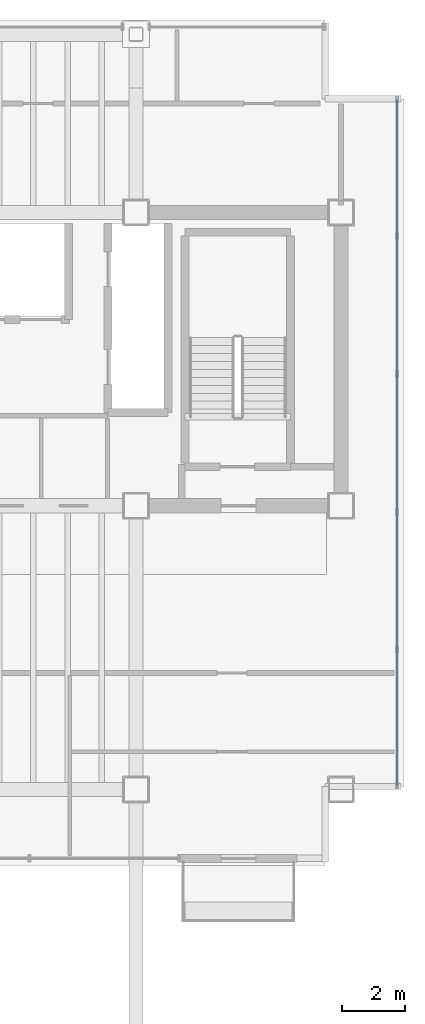
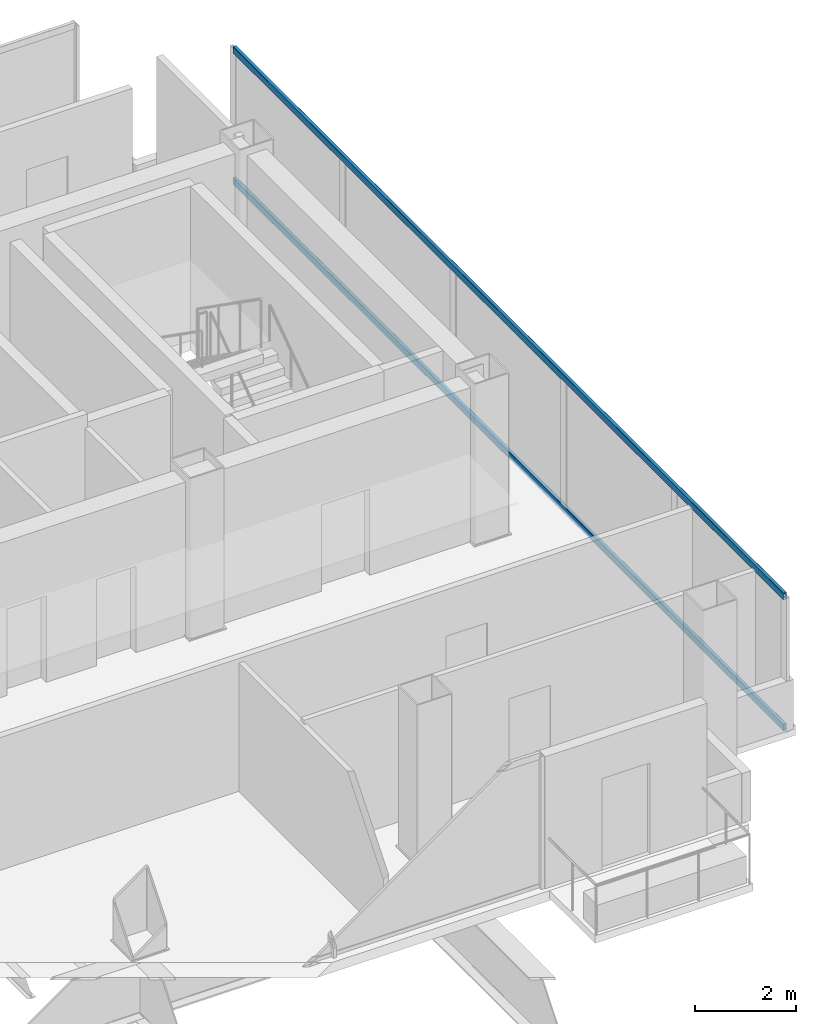
# One storey, part 14 of 19: 2 members, 1 element without a shape of its own.
"""IFC4 building model written with IfcOpenShell, lengths in metres."""

from ifc_helpers import new_model, si_unit, direction, frame, origin, origin_2d, place, context, subcontext, project, spatial, hollow_rectangle, extrude, material, material_profile, profile_set, type_object, element, aggregate, save


model = new_model("IFC4")

# Units and contexts
model_context = context("Model", 3, precision=1e-05, world=origin(), true_north=direction((0.0, 1.0)))
body_context = subcontext(model_context, "Body", "Model", "MODEL_VIEW")
ifc_project = project(units=[si_unit("LENGTHUNIT", "METRE"), si_unit("AREAUNIT", "SQUARE_METRE"), si_unit("VOLUMEUNIT", "CUBIC_METRE"), si_unit("PLANEANGLEUNIT", "RADIAN"), si_unit("MASSUNIT", "GRAM", prefix="KILO")], contexts=[model_context])

# Site, building, storey
site_placement = place(None, origin())
site = spatial("IfcSite", under=ifc_project, at=site_placement, CompositionType="ELEMENT")
building_placement = place(site_placement, origin())
building = spatial("IfcBuilding", under=site, at=building_placement, Name="Noeulbin Bourse Tower", CompositionType="ELEMENT")
storey_placement = place(building_placement, frame((0.0, 0.0, 257.89990234375)))
storey = spatial("IfcBuildingStorey", under=building, at=storey_placement, Name="L64", CompositionType="ELEMENT", Elevation=257.89990234375)

# Curtain wall, members
ifc_material_1 = material(Name="High-Selectivity Low-Iron Glazing", Category="glass")
curtain_wall_type = type_object("IfcCurtainWallType", Name="CW-SYS-4", PredefinedType="NOTDEFINED", material=ifc_material_1)
curtain_wall_placement = place(storey_placement, origin())
curtain_wall = element("IfcCurtainWall", 1, at=curtain_wall_placement, inside=storey, type_object=curtain_wall_type, Name="Unitised Curtain Wall CW-L64-E", PredefinedType="NOTDEFINED")
ifc_material_2 = material(Name="Anodised Aluminium 6063-T6", Category="aluminium")
ifc_material_profile = material_profile(ifc_material_2, hollow_rectangle(XDim=0.074951171875, YDim=0.159912109375, WallThickness=0.0048828125, InnerFilletRadius=0.00244140625, OuterFilletRadius=0.0048828125, at=origin_2d()), Name="ALU-TRAN-75x160x5", Category="LoadBearing")
ifc_profile_set = profile_set([ifc_material_profile], Name="Anodised Aluminium 6063-T6")
member_type = type_object("IfcMemberType", Name="CW-SYS-4-TRN", PredefinedType="USERDEFINED", material=ifc_profile_set)
member_1_placement = place(storey_placement, frame((45.780029296875, 20.1298828125, 0.010009765625), z_axis=(0.0, 1.0, 0.0), x_axis=(-1.0, 0.0, 0.0)))
member_1 = element("IfcMember", 2, at=member_1_placement, type_object=member_type, Name="Curtain Wall Transom CW-L64-E-T00", ObjectType="TRANSOM", PredefinedType="USERDEFINED", context=body_context, shape_type="SweptSolid", body=[
    extrude(hollow_rectangle(XDim=0.074951171875, YDim=0.159912109375, WallThickness=0.0048828125, InnerFilletRadius=0.00244140625, OuterFilletRadius=0.0048828125, at=origin_2d()), origin(), (0.0, 0.0, 1.0), 21.740234375),
])
member_2_placement = place(storey_placement, frame((45.780029296875, 20.1298828125, 3.170166015625), z_axis=(0.0, 1.0, 0.0), x_axis=(-1.0, 0.0, 0.0)))
member_2 = element("IfcMember", 3, at=member_2_placement, type_object=member_type, Name="Curtain Wall Transom CW-L64-E-T01", ObjectType="TRANSOM", PredefinedType="USERDEFINED", context=body_context, shape_type="SweptSolid", body=[
    extrude(hollow_rectangle(XDim=0.074951171875, YDim=0.159912109375, WallThickness=0.0048828125, InnerFilletRadius=0.00244140625, OuterFilletRadius=0.0048828125, at=origin_2d()), origin(), (0.0, 0.0, 1.0), 21.740234375),
])
aggregate(curtain_wall, [member_1, member_2])

save(model, "model.ifc")
